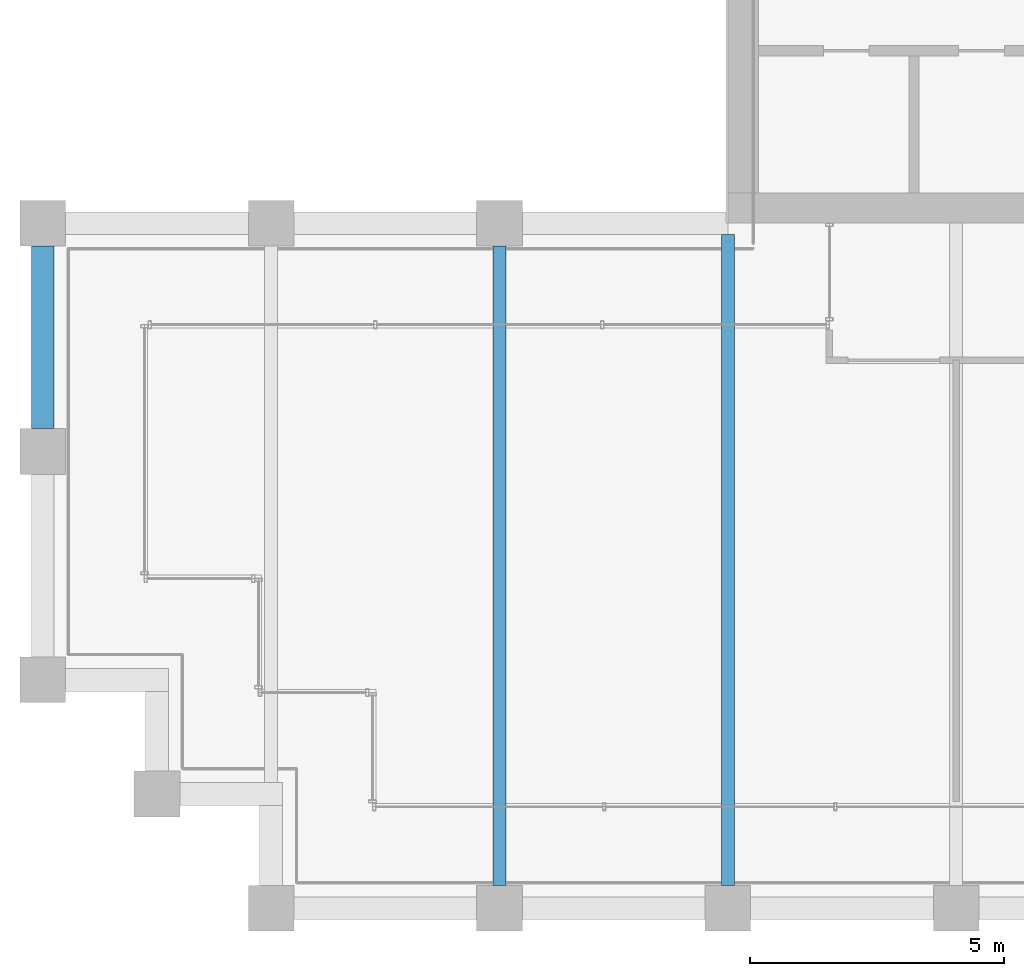
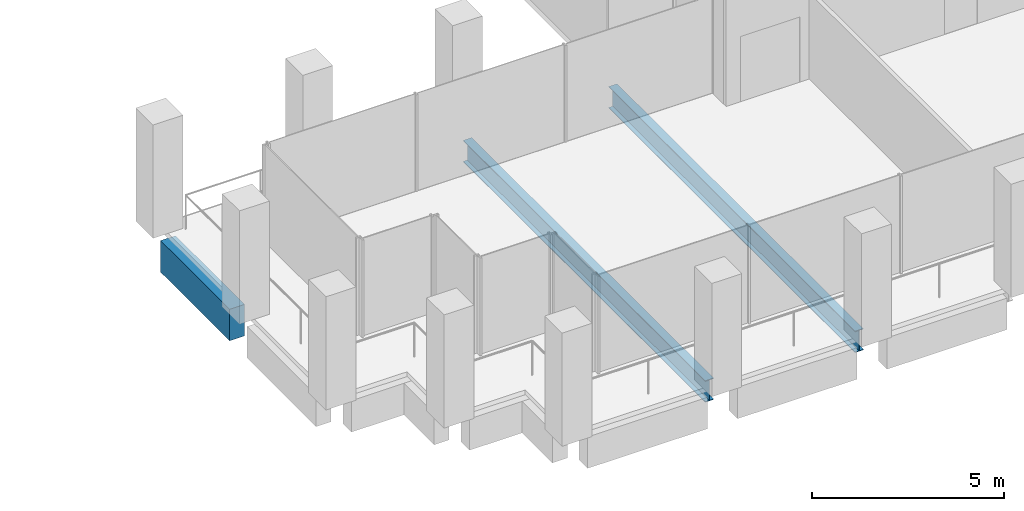
# One storey, part 4 of 40: 3 beams.
"""IFC4 building model written with IfcOpenShell, lengths in metres."""

from ifc_helpers import new_model, si_unit, direction, frame, origin, origin_2d, place, context, subcontext, project, spatial, rectangle, i_section, extrude, material, material_profile, profile_set, type_object, element, save


model = new_model("IFC4")

# Units and contexts
model_context = context("Model", 3, precision=1e-05, world=origin(), true_north=direction((0.0, 1.0)))
body_context = subcontext(model_context, "Body", "Model", "MODEL_VIEW")
ifc_project = project(units=[si_unit("LENGTHUNIT", "METRE"), si_unit("AREAUNIT", "SQUARE_METRE"), si_unit("VOLUMEUNIT", "CUBIC_METRE"), si_unit("PLANEANGLEUNIT", "RADIAN"), si_unit("MASSUNIT", "GRAM", prefix="KILO")], contexts=[model_context])

# Site, building, storey
site_placement = place(None, origin())
site = spatial("IfcSite", under=ifc_project, at=site_placement, CompositionType="ELEMENT")
building_placement = place(site_placement, origin())
building = spatial("IfcBuilding", under=site, at=building_placement, Name="Altepetl Exchange Towers", CompositionType="ELEMENT")
storey_placement = place(building_placement, frame((0.0, 0.0, 165.39990234375)))
storey = spatial("IfcBuildingStorey", under=building, at=storey_placement, Name="L41", CompositionType="ELEMENT", Elevation=165.39990234375)

# Beams
ifc_material_1 = material(Name="Steel S355", Category="steel")
ifc_material_profile_1 = material_profile(ifc_material_1, i_section(OverallWidth=0.25390625, OverallDepth=0.68408203125, WebThickness=0.012451171875, FlangeThickness=0.018798828125, at=origin_2d()), Name="W27X94")
ifc_profile_set_1 = profile_set([ifc_material_profile_1], Name="Steel S355")
beam_type_1 = type_object("IfcBeamType", Name="Floor beam W27X94", PredefinedType="BEAM", material=ifc_profile_set_1)
beam_1_placement = place(storey_placement, frame((36.0, 27.449951171875, -0.491943359375), z_axis=(0.0, 1.0, 0.0), x_axis=(-1.0, 0.0, 0.0)))
element("IfcBeam", 1, at=beam_1_placement, inside=storey, type_object=beam_type_1, Name="bm:A:L41:013", PredefinedType="BEAM", context=body_context, shape_type="SweptSolid", body=[
    extrude(i_section(OverallWidth=0.25390625, OverallDepth=0.68408203125, WebThickness=0.012451171875, FlangeThickness=0.018798828125, at=origin_2d()), origin(), (0.0, 0.0, 1.0), 12.60009765625),
])
beam_2_placement = place(storey_placement, frame((40.5, 27.449951171875, -0.491943359375), z_axis=(0.0, 1.0, 0.0), x_axis=(-1.0, 0.0, 0.0)))
element("IfcBeam", 2, at=beam_2_placement, inside=storey, type_object=beam_type_1, Name="bm:A:L41:014", PredefinedType="BEAM", context=body_context, shape_type="SweptSolid", body=[
    extrude(i_section(OverallWidth=0.25390625, OverallDepth=0.68408203125, WebThickness=0.012451171875, FlangeThickness=0.018798828125, at=origin_2d()), origin(), (0.0, 0.0, 1.0), 12.824951171875),
])
ifc_material_2 = material(Name="Concrete C50/60 precast with cantera blanca facing", Category="concrete")
ifc_material_profile_2 = material_profile(ifc_material_2, rectangle(XDim=0.449951171875, YDim=1.0, at=origin_2d()), Name="450 x 1000")
ifc_profile_set_2 = profile_set([ifc_material_profile_2], Name="Concrete C50/60 precast with cantera blanca facing")
beam_type_2 = type_object("IfcBeamType", Name="Spandrel beam 450x1000 cantera blanca", PredefinedType="SPANDREL", material=ifc_profile_set_2)
beam_3_placement = place(storey_placement, frame((27.0, 40.050048828125, -0.64990234375), z_axis=(0.0, -1.0, 0.0), x_axis=(1.0, 0.0, 0.0)))
element("IfcBeam", 3, at=beam_3_placement, inside=storey, type_object=beam_type_2, Name="sp:A:L41:036", PredefinedType="SPANDREL", context=body_context, shape_type="SweptSolid", body=[
    extrude(rectangle(XDim=0.449951171875, YDim=1.0, at=origin_2d()), origin(), (0.0, 0.0, 1.0), 3.60009765625),
])

save(model, "model.ifc")
